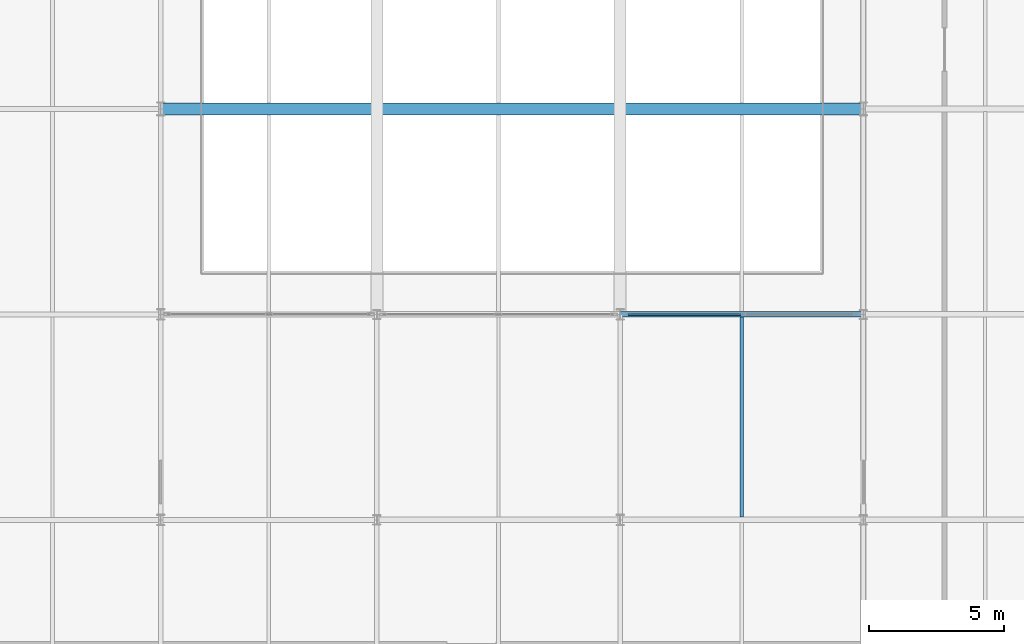
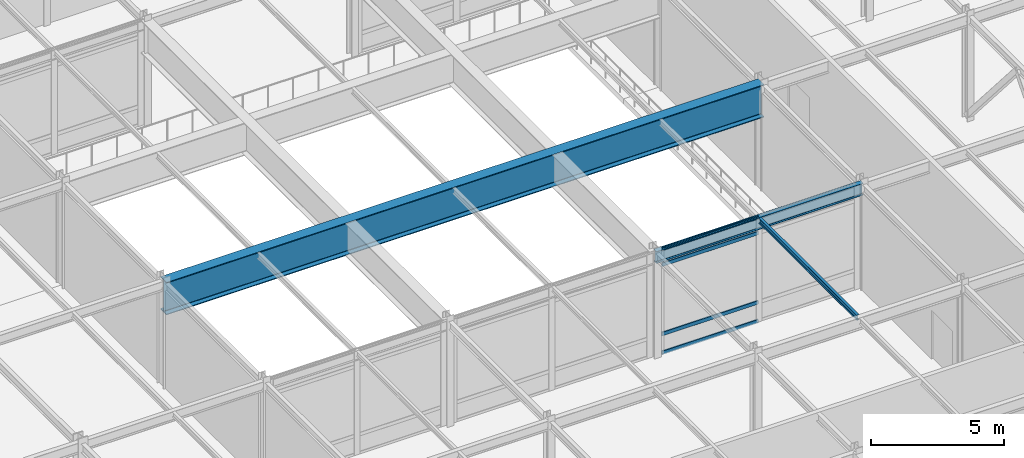
# One storey, part 28 of 79: 4 members, 3 beams, 1 element without a shape of its own.
"""IFC4 building model written with IfcOpenShell, lengths in metres."""

from ifc_helpers import new_model, si_unit, direction, frame, origin, origin_2d, place, context, subcontext, project, spatial, hollow_rectangle, i_section, extrude, material, layer, layer_set, material_profile, profile_set, type_object, element, aggregate, save


model = new_model("IFC4")

# Units and contexts
model_context = context("Model", 3, precision=1e-05, world=origin(), true_north=direction((0.0, 1.0)))
body_context = subcontext(model_context, "Body", "Model", "MODEL_VIEW")
ifc_project = project(units=[si_unit("LENGTHUNIT", "METRE"), si_unit("AREAUNIT", "SQUARE_METRE"), si_unit("VOLUMEUNIT", "CUBIC_METRE"), si_unit("PLANEANGLEUNIT", "RADIAN"), si_unit("MASSUNIT", "GRAM", prefix="KILO")], contexts=[model_context])

# Site, building, storey
site_placement = place(None, origin())
site = spatial("IfcSite", under=ifc_project, at=site_placement, CompositionType="ELEMENT")
building_placement = place(site_placement, origin())
building = spatial("IfcBuilding", under=site, at=building_placement, Name="Shalkamar Park Central Library", CompositionType="ELEMENT")
storey_placement = place(building_placement, frame((0.0, 0.0, 10.5)))
storey = spatial("IfcBuildingStorey", under=building, at=storey_placement, Name="L03", CompositionType="ELEMENT", Elevation=10.5)

# Beam
ifc_material_1 = material(Name="Steel S355", Category="steel")
ifc_material_profile_1 = material_profile(ifc_material_1, i_section(OverallWidth=0.1201171875, OverallDepth=0.239990234375, WebThickness=0.006103515625, FlangeThickness=0.009765625, FilletRadius=0.014892578125, at=origin_2d()), Name="IPE 240")
ifc_profile_set_1 = profile_set([ifc_material_profile_1], Name="Steel S355")
beam_type_1 = type_object("IfcBeamType", Name="Composite Floor Joist IPE240", PredefinedType="JOIST", material=ifc_profile_set_1)
beam_1_placement = place(storey_placement, frame((250.5, 262.903076171875, 4.719970703125), z_axis=(0.0, 1.0, 0.0), x_axis=(-1.0, 0.0, 0.0)))
element("IfcBeam", 1, at=beam_1_placement, inside=storey, type_object=beam_type_1, Name="Composite Joist 17/D-1 (L03)", PredefinedType="JOIST", context=body_context, shape_type="SweptSolid", body=[
    extrude(i_section(OverallWidth=0.1201171875, OverallDepth=0.239990234375, WebThickness=0.006103515625, FlangeThickness=0.009765625, FilletRadius=0.014892578125, at=origin_2d()), origin(), (0.0, 0.0, 1.0), 7.39404296875),
])

# Curtain wall, members
ifc_material_2 = material(Name="Thermally broken aluminium and triple low-e curtain wall", Category="aluminium")
ifc_layer = layer(ifc_material_2, 0.2548828125)
ifc_layer_set = layer_set([ifc_layer], Name="AtriumGlazedScreen_122")
curtain_wall_type = type_object("IfcCurtainWallType", Name="Atrium Glazed Screen 122", PredefinedType="USERDEFINED", material=ifc_layer_set)
curtain_wall_placement = place(storey_placement, origin())
curtain_wall = element("IfcCurtainWall", 2, at=curtain_wall_placement, inside=storey, type_object=curtain_wall_type, Name="Atrium Glazed Screen CW-L03-179", ObjectType="ATRIUM GLAZED SCREEN", PredefinedType="USERDEFINED")
ifc_material_3 = material(Name="Aluminium 6060-T66", Category="aluminium")
ifc_material_profile_2 = material_profile(ifc_material_3, hollow_rectangle(XDim=0.06494140625, YDim=0.169921875, WallThickness=0.00390625, InnerFilletRadius=0.00390625, OuterFilletRadius=0.006103515625, at=origin_2d()), Name="ALU 65x170x4")
ifc_profile_set_2 = profile_set([ifc_material_profile_2], Name="Aluminium 6060-T66")
member_type = type_object("IfcMemberType", Name="Curtain Wall Transom ALU65x170", PredefinedType="USERDEFINED", material=ifc_profile_set_2)
member_1_placement = place(storey_placement, frame((246.283935546875, 270.39990234375, 0.032470703125), z_axis=(1.0, 0.0, 0.0), x_axis=(0.0, 1.0, 0.0)))
member_1 = element("IfcMember", 3, at=member_1_placement, type_object=member_type, Name="CW-122 transom 1.1", ObjectType="TRANSOM", PredefinedType="USERDEFINED", context=body_context, shape_type="SweptSolid", body=[
    extrude(hollow_rectangle(XDim=0.06494140625, YDim=0.169921875, WallThickness=0.00390625, InnerFilletRadius=0.00390625, OuterFilletRadius=0.006103515625, at=origin_2d()), origin(), (0.0, 0.0, 1.0), 4.18603515625),
])
member_2_placement = place(storey_placement, frame((246.283935546875, 270.39990234375, 0.89990234375), z_axis=(1.0, 0.0, 0.0), x_axis=(0.0, 1.0, 0.0)))
member_2 = element("IfcMember", 4, at=member_2_placement, type_object=member_type, Name="CW-122 transom 1.2", ObjectType="TRANSOM", PredefinedType="USERDEFINED", context=body_context, shape_type="SweptSolid", body=[
    extrude(hollow_rectangle(XDim=0.06494140625, YDim=0.169921875, WallThickness=0.00390625, InnerFilletRadius=0.00390625, OuterFilletRadius=0.006103515625, at=origin_2d()), origin(), (0.0, 0.0, 1.0), 4.18603515625),
])
member_3_placement = place(storey_placement, frame((246.283935546875, 270.39990234375, 4.090087890625), z_axis=(1.0, 0.0, 0.0), x_axis=(0.0, 1.0, 0.0)))
member_3 = element("IfcMember", 5, at=member_3_placement, type_object=member_type, Name="CW-122 transom 1.3", ObjectType="TRANSOM", PredefinedType="USERDEFINED", context=body_context, shape_type="SweptSolid", body=[
    extrude(hollow_rectangle(XDim=0.06494140625, YDim=0.169921875, WallThickness=0.00390625, InnerFilletRadius=0.00390625, OuterFilletRadius=0.006103515625, at=origin_2d()), origin(), (0.0, 0.0, 1.0), 4.18603515625),
])
member_4_placement = place(storey_placement, frame((246.283935546875, 270.39990234375, 4.8076171875), z_axis=(1.0, 0.0, 0.0), x_axis=(0.0, 1.0, 0.0)))
member_4 = element("IfcMember", 6, at=member_4_placement, type_object=member_type, Name="CW-122 transom 1.4", ObjectType="TRANSOM", PredefinedType="USERDEFINED", context=body_context, shape_type="SweptSolid", body=[
    extrude(hollow_rectangle(XDim=0.06494140625, YDim=0.169921875, WallThickness=0.00390625, InnerFilletRadius=0.00390625, OuterFilletRadius=0.006103515625, at=origin_2d()), origin(), (0.0, 0.0, 1.0), 4.18603515625),
])
aggregate(curtain_wall, [member_1, member_2, member_3, member_4])

# Beams
ifc_material_profile_3 = material_profile(ifc_material_1, i_section(OverallWidth=0.449951171875, OverallDepth=1.5, WebThickness=0.02001953125, FlangeThickness=0.035888671875, FilletRadius=0.02392578125, at=origin_2d()), Name="PG 1500x450")
ifc_profile_set_3 = profile_set([ifc_material_profile_3], Name="Steel S355")
beam_type_2 = type_object("IfcBeamType", Name="Primary Girder HEB900", PredefinedType="BEAM", material=ifc_profile_set_3)
beam_2_placement = place(storey_placement, frame((229.0, 278.0, 4.090087890625), z_axis=(1.0, 0.0, 0.0), x_axis=(0.0, 1.0, 0.0)))
element("IfcBeam", 7, at=beam_2_placement, inside=storey, type_object=beam_type_2, Name="Beam F:15-18 (L03)", PredefinedType="BEAM", context=body_context, shape_type="SweptSolid", body=[
    extrude(i_section(OverallWidth=0.449951171875, OverallDepth=1.5, WebThickness=0.02001953125, FlangeThickness=0.035888671875, FilletRadius=0.02392578125, at=origin_2d()), origin(), (0.0, 0.0, 1.0), 26.0),
])
ifc_material_profile_4 = material_profile(ifc_material_1, i_section(OverallWidth=0.2099609375, OverallDepth=0.550048828125, WebThickness=0.010986328125, FlangeThickness=0.01708984375, FilletRadius=0.02392578125, at=origin_2d()), Name="IPE 550")
ifc_profile_set_4 = profile_set([ifc_material_profile_4], Name="Steel S355")
beam_type_3 = type_object("IfcBeamType", Name="Primary Girder IPE550", PredefinedType="BEAM", material=ifc_profile_set_4)
beam_3_placement = place(storey_placement, frame((246.0, 270.39990234375, 4.56494140625), z_axis=(1.0, 0.0, 0.0), x_axis=(0.0, 1.0, 0.0)))
element("IfcBeam", 8, at=beam_3_placement, inside=storey, type_object=beam_type_3, Name="Beam E:17-18 (L03)", PredefinedType="BEAM", context=body_context, shape_type="SweptSolid", body=[
    extrude(i_section(OverallWidth=0.2099609375, OverallDepth=0.550048828125, WebThickness=0.010986328125, FlangeThickness=0.01708984375, FilletRadius=0.02392578125, at=origin_2d()), origin(), (0.0, 0.0, 1.0), 9.0),
])

save(model, "model.ifc")
